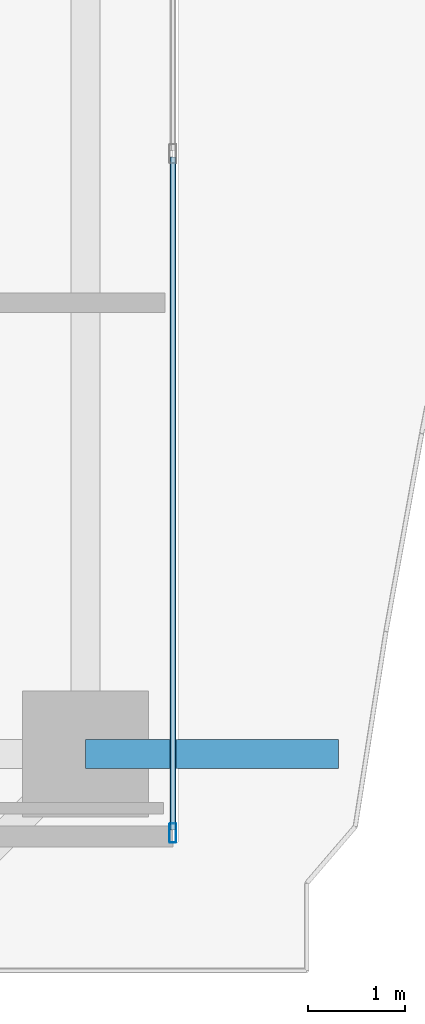
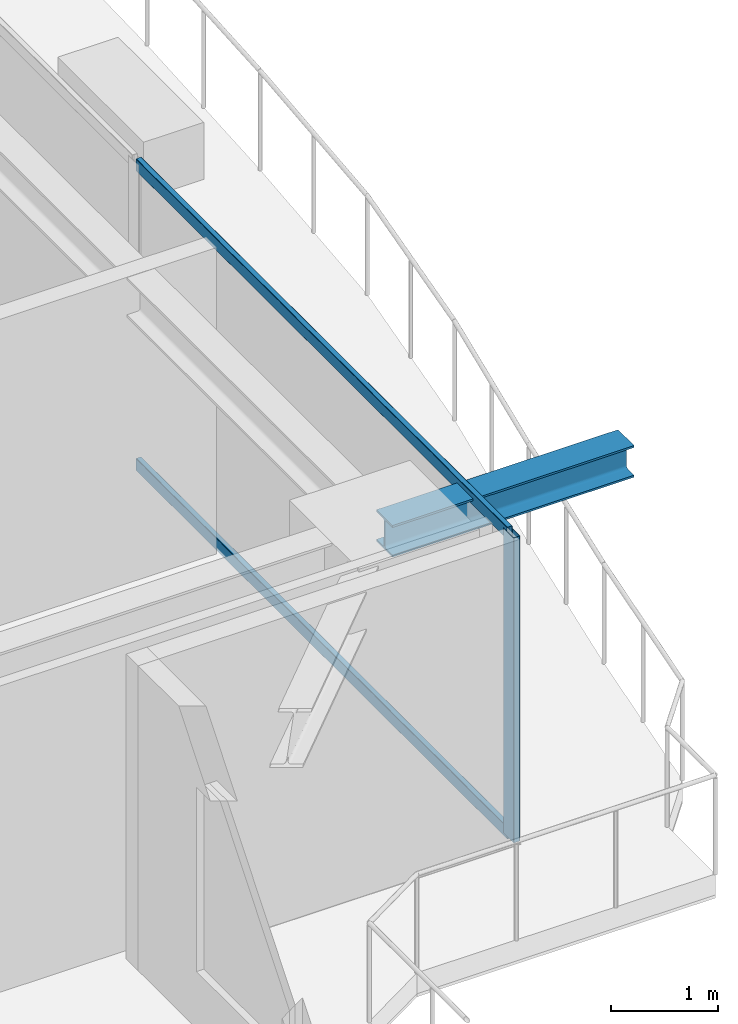
# One storey, part 13 of 36: 3 members, 1 beam, 1 element without a shape of its own.
"""IFC4 building model written with IfcOpenShell, lengths in metres."""

from ifc_helpers import new_model, si_unit, direction, frame, origin, origin_2d, place, context, subcontext, project, spatial, hollow_rectangle, i_section, extrude, source, transform, mapped, material, layer, layer_set, material_profile, profile_set, type_object, element, aggregate, save


model = new_model("IFC4")

# Units and contexts
model_context = context("Model", 3, precision=1e-05, world=origin(), true_north=direction((0.0, 1.0)))
body_context = subcontext(model_context, "Body", "Model", "MODEL_VIEW")
ifc_project = project(units=[si_unit("LENGTHUNIT", "METRE"), si_unit("AREAUNIT", "SQUARE_METRE"), si_unit("VOLUMEUNIT", "CUBIC_METRE"), si_unit("PLANEANGLEUNIT", "RADIAN"), si_unit("MASSUNIT", "GRAM", prefix="KILO")], contexts=[model_context])

# Site, building, storey
site_placement = place(None, origin())
site = spatial("IfcSite", under=ifc_project, at=site_placement, CompositionType="ELEMENT")
building_placement = place(site_placement, origin())
building = spatial("IfcBuilding", under=site, at=building_placement, Name="Serunith Strait Residences", CompositionType="ELEMENT")
storey_placement = place(building_placement, frame((0.0, 0.0, 131.39990234375)))
storey = spatial("IfcBuildingStorey", under=building, at=storey_placement, Name="L32", CompositionType="ELEMENT", Elevation=131.39990234375)

# Beam
ifc_material_1 = material(Name="Steel S355J2", Category="steel")
ifc_material_profile_1 = material_profile(ifc_material_1, i_section(OverallWidth=0.300048828125, OverallDepth=0.360107421875, WebThickness=0.012451171875, FlangeThickness=0.0224609375, FilletRadius=0.027099609375, at=origin_2d()), Name="HEB 360")
ifc_profile_set_1 = profile_set([ifc_material_profile_1], Name="Steel S355J2")
beam_type = type_object("IfcBeamType", Name="BM-HEB360", PredefinedType="BEAM", material=ifc_profile_set_1)
shared_shape_1 = source(origin(), body_context, "Body", "SweptSolid", [
    extrude(i_section(OverallWidth=0.300048828125, OverallDepth=0.360107421875, WebThickness=0.012451171875, FlangeThickness=0.0224609375, FilletRadius=0.027099609375, at=origin_2d()), origin(), (0.0, 0.0, 1.0), 2.60546875),
])
beam_placement = place(storey_placement, frame((56.10009765625, 10.25, 3.277099609375), z_axis=(1.0, 0.0, 0.0), x_axis=(0.0, 1.0, 0.0)))
element("IfcBeam", 1, at=beam_placement, inside=storey, type_object=beam_type, Name="L33 Cantilevered Balcony Rib TC-E1", PredefinedType="BEAM", context=body_context, shape_type="MappedRepresentation", body=[
    mapped(shared_shape_1, transform((0.0, 0.0, 0.0), scale=1.0)),
])

# Curtain wall, members
ifc_material_2 = material(Name="Pale-Champagne Anodised Aluminium", Category="aluminium")
ifc_layer = layer(ifc_material_2, 0.199951171875, Name="Pale-Champagne Anodised Aluminium")
ifc_layer_set = layer_set([ifc_layer], Name="Pale-Champagne Anodised Aluminium")
curtain_wall_type = type_object("IfcCurtainWallType", Name="CW-SYS2", PredefinedType="NOTDEFINED", material=ifc_layer_set)
curtain_wall_placement = place(storey_placement, origin())
curtain_wall = element("IfcCurtainWall", 2, at=curtain_wall_placement, inside=storey, type_object=curtain_wall_type, Name="L32 E Unitised Fritted Curtain Wall", PredefinedType="NOTDEFINED")
ifc_material_profile_2 = material_profile(ifc_material_2, hollow_rectangle(XDim=0.070068359375, YDim=0.199951171875, WallThickness=0.00390625, InnerFilletRadius=0.006103515625, OuterFilletRadius=0.010009765625, at=origin_2d()), Name="ALU 200x70x4")
ifc_profile_set_2 = profile_set([ifc_material_profile_2], Name="Pale-Champagne Anodised Aluminium")
member_type_1 = type_object("IfcMemberType", Name="CW-SYS2-MULL", PredefinedType="MULLION", material=ifc_profile_set_2)
shared_shape_2 = source(origin(), body_context, "Body", "SweptSolid", [
    extrude(hollow_rectangle(XDim=0.070068359375, YDim=0.199951171875, WallThickness=0.00390625, InnerFilletRadius=0.006103515625, OuterFilletRadius=0.010009765625, at=origin_2d()), origin(), (0.0, 0.0, 1.0), 3.47509765625),
])
member_1_placement = place(storey_placement, frame((57.0, 9.43505859375, 0.0), z_axis=(0.0, 0.0, 1.0), x_axis=(-1.0, 0.0, 0.0)))
member_1 = element("IfcMember", 3, at=member_1_placement, type_object=member_type_1, Name="CW-2 mullion 1", PredefinedType="MULLION", context=body_context, shape_type="MappedRepresentation", body=[
    mapped(shared_shape_2, transform((0.0, 0.0, 0.0), scale=1.0)),
])
ifc_material_profile_3 = material_profile(ifc_material_2, hollow_rectangle(XDim=0.06005859375, YDim=0.139892578125, WallThickness=0.00341796875, InnerFilletRadius=0.00537109375, OuterFilletRadius=0.0087890625, at=origin_2d()), Name="ALU 140x60x3.5")
ifc_profile_set_3 = profile_set([ifc_material_profile_3], Name="Pale-Champagne Anodised Aluminium")
member_type_2 = type_object("IfcMemberType", Name="CW-SYS2-TRAN", PredefinedType="USERDEFINED", material=ifc_profile_set_3)
shared_shape_3 = source(origin(), body_context, "Body", "SweptSolid", [
    extrude(hollow_rectangle(XDim=0.06005859375, YDim=0.139892578125, WallThickness=0.00341796875, InnerFilletRadius=0.00537109375, OuterFilletRadius=0.0087890625, at=origin_2d()), origin(), (0.0, 0.0, 1.0), 6.928466796875),
])
member_2_placement = place(storey_placement, frame((57.0, 9.469970703125, 0.030029296875), z_axis=(0.0, 1.0, 0.0), x_axis=(-1.0, 0.0, 0.0)))
member_2 = element("IfcMember", 4, at=member_2_placement, type_object=member_type_2, Name="CW-2 transom 1.1", ObjectType="TRANSOM", PredefinedType="USERDEFINED", context=body_context, shape_type="MappedRepresentation", body=[
    mapped(shared_shape_3, transform((0.0, 0.0, 0.0), scale=1.0)),
])
member_3_placement = place(storey_placement, frame((57.0, 9.469970703125, 3.445068359375), z_axis=(0.0, 1.0, 0.0), x_axis=(-1.0, 0.0, 0.0)))
member_3 = element("IfcMember", 5, at=member_3_placement, type_object=member_type_2, Name="CW-2 transom 1.2", ObjectType="TRANSOM", PredefinedType="USERDEFINED", context=body_context, shape_type="MappedRepresentation", body=[
    mapped(shared_shape_3, transform((0.0, 0.0, 0.0), scale=1.0)),
])
aggregate(curtain_wall, [member_1, member_2, member_3])

save(model, "model.ifc")
